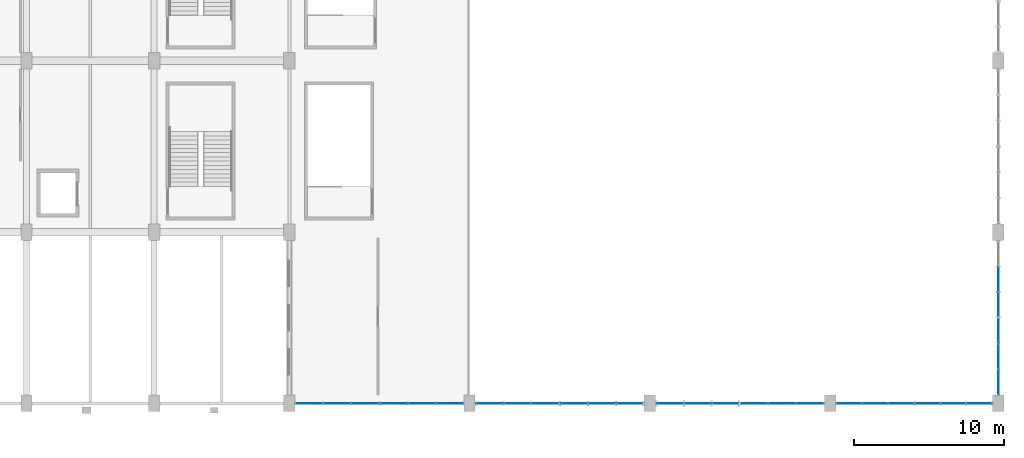
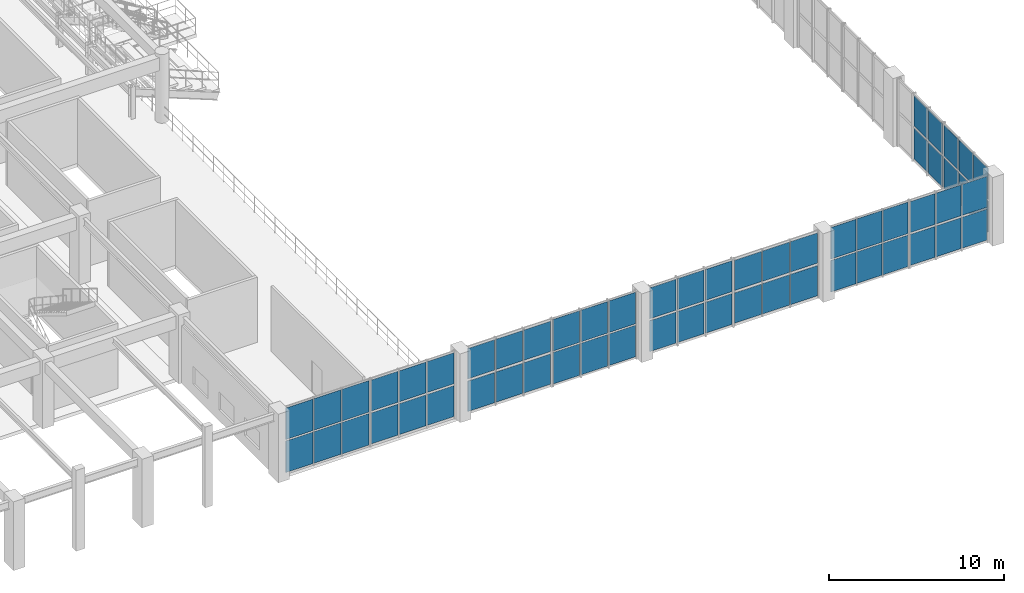
# One storey, part 73 of 106: 58 plates, 10 elements without a shape of their own.
"""IFC4 building model written with IfcOpenShell, lengths in metres."""

import ifcopenshell
import ifcopenshell.guid

model = None  # the IFC model being written
_history = None  # IfcOwnerHistory: only IFC2X3 demands one
_inside = {}  # id of a spatial element -> (the spatial element, [elements in it])
_under = {}  # id of a project, library or spatial element -> (it, [spatial elements below it])
_declared = {}  # id of a project -> (the project, [libraries it declares])
_typed = {}  # id of a type object -> (the type object, [elements of that type])
_made_of = {}  # id of a material, layer set ... -> (it, [elements and type objects made of it])


def new_model(schema):
    """Start an empty IFC model of exactly this schema.

    Asked for "IFC4X3", IfcOpenShell would pick the latest addendum, in which some entities
    have other attributes; the version numbers below select the first issue.
    IFC2X3 requires an IfcOwnerHistory on every rooted entity: one is made here for all.
    """
    global model, _history
    if schema == "IFC4X3":
        model = ifcopenshell.file(schema_version=(4, 3, 0, 0))
    else:
        model = ifcopenshell.file(schema=schema)
    _inside.clear()
    _under.clear()
    _declared.clear()
    _typed.clear()
    _made_of.clear()
    _history = None
    if model.schema == "IFC2X3":
        org = make("IfcOrganization", Name="unknown")
        user = make(
            "IfcPersonAndOrganization",
            ThePerson=make("IfcPerson", FamilyName="unknown"),
            TheOrganization=org,
        )
        app = make(
            "IfcApplication",
            ApplicationDeveloper=org,
            Version="unknown",
            ApplicationFullName="unknown",
            ApplicationIdentifier="unknown",
        )
        _history = make(
            "IfcOwnerHistory",
            OwningUser=user,
            OwningApplication=app,
            ChangeAction="ADDED",
            CreationDate=0,
        )
    return model


def make(cls, **values):
    """One entity of the class cls with the attributes given. An attribute that is None is left unset."""
    return model.create_entity(
        cls, **{name: value for name, value in values.items() if value is not None}
    )


def rooted(cls, **values):
    """An entity with a GlobalId (a new one), such as an element, a storey or a relation."""
    return make(cls, GlobalId=ifcopenshell.guid.new(), OwnerHistory=_history, **values)


def si_unit(unit_type, name, prefix=None):
    """IfcSIUnit, for example si_unit("LENGTHUNIT", "METRE", prefix="MILLI")."""
    return make("IfcSIUnit", UnitType=unit_type, Prefix=prefix, Name=name)


def assignment(units):
    """IfcUnitAssignment: the units of a project."""
    return None if units is None else make("IfcUnitAssignment", Units=units)


def point(xyz):
    """IfcCartesianPoint."""
    return None if xyz is None else make("IfcCartesianPoint", Coordinates=xyz)


def direction(xyz):
    """IfcDirection."""
    return None if xyz is None else make("IfcDirection", DirectionRatios=xyz)


def frame(location, z_axis=None, x_axis=None):
    """IfcAxis2Placement3D, a coordinate frame: its origin and axes. An axis left out is left unset."""
    return make(
        "IfcAxis2Placement3D",
        Location=point(location),
        Axis=direction(z_axis),
        RefDirection=direction(x_axis),
    )


def frame_2d(location, x_axis=None):
    """IfcAxis2Placement2D, a coordinate frame in the plane: its origin and x axis."""
    return make(
        "IfcAxis2Placement2D", Location=point(location), RefDirection=direction(x_axis)
    )


def origin():
    """The frame at (0, 0, 0) with its axes left unset."""
    return frame((0.0, 0.0, 0.0))


def origin_2d():
    """The frame at (0, 0) in the plane with its x axis left unset."""
    return frame_2d((0.0, 0.0))


def place(relative_to, where):
    """IfcLocalPlacement: puts the frame where relative to a parent placement (None: the world)."""
    return make(
        "IfcLocalPlacement", PlacementRelTo=relative_to, RelativePlacement=where
    )


def context(
    kind, dimensions, precision=None, world=None, true_north=None, identifier=None
):
    """IfcGeometricRepresentationContext, for example the 3D "Model" context."""
    return make(
        "IfcGeometricRepresentationContext",
        ContextIdentifier=identifier,
        ContextType=kind,
        CoordinateSpaceDimension=dimensions,
        Precision=precision,
        WorldCoordinateSystem=world,
        TrueNorth=true_north,
    )


def subcontext(parent, identifier, kind, view, scale=None):
    """IfcGeometricRepresentationSubContext, for example "Body" below "Model"."""
    return make(
        "IfcGeometricRepresentationSubContext",
        ContextIdentifier=identifier,
        ContextType=kind,
        ParentContext=parent,
        TargetScale=scale,
        TargetView=view,
    )


def project(units=None, contexts=None):
    """IfcProject with its units and contexts."""
    return rooted(
        "IfcProject",
        Name="project",
        RepresentationContexts=contexts,
        UnitsInContext=assignment(units),
    )


def spatial(cls, under=None, at=None, **own):
    """A site, building, storey or space (cls), placed at a placement, below another one or the project."""
    s = rooted(cls, ObjectPlacement=at, **own)
    if under is not None:
        _under.setdefault(under.id(), (under, []))[1].append(s)
    return s


def profile(cls, at=None, kind="AREA", **sizes):
    """A parametric profile (cls). Its sizes go by their IFC names, for example OverallWidth=200.0."""
    return make(cls, ProfileType=kind, Position=at, **sizes)


def rectangle(**sizes):
    """IfcRectangleProfileDef."""
    return profile("IfcRectangleProfileDef", **sizes)


def extrude(swept, where, along, depth):
    """IfcExtrudedAreaSolid: the profile swept, set in the frame where, extruded along a direction by depth."""
    return make(
        "IfcExtrudedAreaSolid",
        SweptArea=swept,
        Position=where,
        ExtrudedDirection=direction(along),
        Depth=depth,
    )


def shape(context_of_items, identifier, shape_type, items):
    """IfcShapeRepresentation: the items that make up one representation, for example the "Body"."""
    return make(
        "IfcShapeRepresentation",
        ContextOfItems=context_of_items,
        RepresentationIdentifier=identifier,
        RepresentationType=shape_type,
        Items=items,
    )


def material(Name=None, Category=None):
    """IfcMaterial."""
    return make("IfcMaterial", Name=Name, Category=Category)


def layer(
    of_material, thickness, ventilated=None, Name=None, Category=None, Priority=None
):
    """IfcMaterialLayer: one layer of a wall or slab, of a material (None: an air gap)."""
    return make(
        "IfcMaterialLayer",
        Material=of_material,
        LayerThickness=thickness,
        IsVentilated=ventilated,
        Name=Name,
        Category=Category,
        Priority=Priority,
    )


def layer_set(layers, Name=None):
    """IfcMaterialLayerSet."""
    return make("IfcMaterialLayerSet", MaterialLayers=layers, LayerSetName=Name)


def made_of(thing, what):
    """Note that an element or type object is made of a material, layer set ...; save() writes the relation."""
    if what is not None:
        _made_of.setdefault(what.id(), (what, []))[1].append(thing)
    return thing


def type_object(cls, material=None, **own):
    """A type object (cls), such as IfcWallType, which elements share."""
    return made_of(rooted(cls, **own), material)


def element(
    cls,
    number,
    at=None,
    inside=None,
    cuts=None,
    type_object=None,
    material=None,
    context=None,
    identifier="Body",
    shape_type=None,
    held_by="IfcProductDefinitionShape",
    body=None,
    shapes=None,
    **own,
):
    """One element of the class cls, such as IfcWall. Its Tag is "e" and its number.

    at: its placement. inside: the storey or other place that contains it. cuts: it is an
    opening in that element (IfcRelVoidsElement). A single representation is given by context,
    identifier, shape_type and body (its items); several are given by shapes. held_by: the class
    of the entity that holds the representations. save() writes the other relations.
    """
    e = rooted(cls, Tag="e%d" % number, ObjectPlacement=at, **own)
    if body is not None:
        shapes = [shape(context, identifier, shape_type, body)]
    if shapes is not None:
        e.Representation = make(held_by, Representations=shapes)
    if inside is not None:
        _inside.setdefault(inside.id(), (inside, []))[1].append(e)
    if cuts is not None:
        rooted(
            "IfcRelVoidsElement", RelatingBuildingElement=cuts, RelatedOpeningElement=e
        )
    if type_object is not None:
        _typed.setdefault(type_object.id(), (type_object, []))[1].append(e)
    return made_of(e, material)


def aggregate(whole, parts):
    """IfcRelAggregates: a whole, such as a stair, and the parts it consists of."""
    return rooted("IfcRelAggregates", RelatingObject=whole, RelatedObjects=parts)


def save(model, path):
    """Write the relations noted so far, then the file.

    IfcRelAggregates (storeys below a building ...), IfcRelContainedInSpatialStructure (elements
    in a storey), IfcRelDefinesByType, IfcRelAssociatesMaterial and IfcRelDeclares: one each for
    every whole, place, type object, material and project.
    """
    for whole, parts in _under.values():
        aggregate(whole, parts)
    for where, things in _inside.values():
        rooted(
            "IfcRelContainedInSpatialStructure",
            RelatedElements=things,
            RelatingStructure=where,
        )
    for kind, things in _typed.values():
        rooted("IfcRelDefinesByType", RelatedObjects=things, RelatingType=kind)
    for what, things in _made_of.values():
        rooted("IfcRelAssociatesMaterial", RelatedObjects=things, RelatingMaterial=what)
    for by, libraries in _declared.values():
        rooted("IfcRelDeclares", RelatingContext=by, RelatedDefinitions=libraries)
    model.write(path)


model = new_model("IFC4")

# Units and contexts
model_context = context("Model", 3, precision=1e-05, world=origin(), true_north=direction((0.0, 1.0)))
body_context = subcontext(model_context, "Body", "Model", "MODEL_VIEW")
ifc_project = project(units=[si_unit("LENGTHUNIT", "METRE"), si_unit("AREAUNIT", "SQUARE_METRE"), si_unit("VOLUMEUNIT", "CUBIC_METRE"), si_unit("PLANEANGLEUNIT", "RADIAN"), si_unit("MASSUNIT", "GRAM", prefix="KILO"), si_unit("POWERUNIT", "WATT"), si_unit("THERMODYNAMICTEMPERATUREUNIT", "KELVIN")], contexts=[model_context])

# Site, building, storey
site_placement = place(None, origin())
site = spatial("IfcSite", under=ifc_project, at=site_placement, CompositionType="ELEMENT")
building_placement = place(site_placement, origin())
building = spatial("IfcBuilding", under=site, at=building_placement, Name="Kelmbourne Parkland Aquatics Centre", CompositionType="ELEMENT")
storey_placement = place(building_placement, frame((0.0, 0.0, 5.39990234375)))
storey = spatial("IfcBuildingStorey", under=building, at=storey_placement, Name="L01", CompositionType="ELEMENT", Elevation=5.39990234375)

# Curtain wall, plates
ifc_material_1 = material(Name="Thermally broken anodised aluminium framing", Category="aluminium")
ifc_layer_1 = layer(ifc_material_1, 0.179931640625)
ifc_layer_set_1 = layer_set([ifc_layer_1], Name="Thermally broken anodised aluminium framing")
curtain_wall_type_1 = type_object("IfcCurtainWallType", Name="CW-01", PredefinedType="NOTDEFINED", material=ifc_layer_set_1)
curtain_wall_1_placement = place(storey_placement, origin())
curtain_wall_1 = element("IfcCurtainWall", 1, at=curtain_wall_1_placement, inside=storey, type_object=curtain_wall_type_1, Name="Wave-hall clerestory curtain wall CW-L01-001", PredefinedType="NOTDEFINED")
ifc_material_2 = material(Name="Double-glazed low-e laminated safety glass", Category="glass")
ifc_layer_2 = layer(ifc_material_2, 0.0419921875)
ifc_layer_set_2 = layer_set([ifc_layer_2], Name="Double-glazed low-e laminated safety glass")
plate_type_1 = type_object("IfcPlateType", Name="PL-CLR-1", PredefinedType="USERDEFINED", material=ifc_layer_set_2)
plate_1_placement = place(storey_placement, frame((175.199951171875, 2.235107421875, 2.4443359375), z_axis=(0.0, 0.0, 1.0), x_axis=(0.0, 1.0, 0.0)))
plate_1 = element("IfcPlate", 2, at=plate_1_placement, type_object=plate_type_1, Name="CW-L01-001 clerestory glazing 1-0", ObjectType="CLERESTORY GLAZING", PredefinedType="USERDEFINED", context=body_context, shape_type="SweptSolid", body=[
    extrude(rectangle(XDim=1.6279296875, YDim=0.0419921875, at=origin_2d()), origin(), (0.0, 0.0, 1.0), 2.158935546875),
])
plate_2_placement = place(storey_placement, frame((175.199951171875, 3.926025390625, 2.4443359375), z_axis=(0.0, 0.0, 1.0), x_axis=(0.0, 1.0, 0.0)))
plate_2 = element("IfcPlate", 3, at=plate_2_placement, type_object=plate_type_1, Name="CW-L01-001 clerestory glazing 1-1", ObjectType="CLERESTORY GLAZING", PredefinedType="USERDEFINED", context=body_context, shape_type="SweptSolid", body=[
    extrude(rectangle(XDim=1.6279296875, YDim=0.0419921875, at=origin_2d()), origin(), (0.0, 0.0, 1.0), 2.158935546875),
])
plate_3_placement = place(storey_placement, frame((175.199951171875, 5.616943359375, 2.4443359375), z_axis=(0.0, 0.0, 1.0), x_axis=(0.0, 1.0, 0.0)))
plate_3 = element("IfcPlate", 4, at=plate_3_placement, type_object=plate_type_1, Name="CW-L01-001 clerestory glazing 1-2", ObjectType="CLERESTORY GLAZING", PredefinedType="USERDEFINED", context=body_context, shape_type="SweptSolid", body=[
    extrude(rectangle(XDim=1.6279296875, YDim=0.0419921875, at=origin_2d()), origin(), (0.0, 0.0, 1.0), 2.158935546875),
])

ifc_layer_3 = layer(ifc_material_1, 0.179931640625)
ifc_layer_set_3 = layer_set([ifc_layer_3], Name="Thermally broken anodised aluminium framing")
curtain_wall_type_2 = type_object("IfcCurtainWallType", Name="CW-08", PredefinedType="NOTDEFINED", material=ifc_layer_set_3)
curtain_wall_2_placement = place(storey_placement, origin())
curtain_wall_2 = element("IfcCurtainWall", 5, at=curtain_wall_2_placement, inside=storey, type_object=curtain_wall_type_2, Name="Wave-hall clerestory curtain wall CW-L01-008", PredefinedType="NOTDEFINED")
plate_4_placement = place(storey_placement, frame((175.199951171875, 7.3896484375, 2.458984375), z_axis=(0.0, 0.0, 1.0), x_axis=(0.0, 1.0, 0.0)))
plate_4 = element("IfcPlate", 6, at=plate_4_placement, type_object=plate_type_1, Name="CW-L01-008 clerestory glazing 1-0", ObjectType="CLERESTORY GLAZING", PredefinedType="USERDEFINED", context=body_context, shape_type="SweptSolid", body=[
    extrude(rectangle(XDim=1.601318359375, YDim=0.0419921875, at=origin_2d()), origin(), (0.0, 0.0, 1.0), 2.114013671875),
])
plate_5_placement = place(storey_placement, frame((175.199951171875, 9.073974609375, 2.458984375), z_axis=(0.0, 0.0, 1.0), x_axis=(0.0, 1.0, 0.0)))
plate_5 = element("IfcPlate", 7, at=plate_5_placement, type_object=plate_type_1, Name="CW-L01-008 clerestory glazing 1-1", ObjectType="CLERESTORY GLAZING", PredefinedType="USERDEFINED", context=body_context, shape_type="SweptSolid", body=[
    extrude(rectangle(XDim=1.601318359375, YDim=0.0419921875, at=origin_2d()), origin(), (0.0, 0.0, 1.0), 2.114013671875),
])

ifc_layer_4 = layer(ifc_material_1, 0.179931640625)
ifc_layer_set_4 = layer_set([ifc_layer_4], Name="Thermally broken anodised aluminium framing")
curtain_wall_type_3 = type_object("IfcCurtainWallType", Name="CW-09", PredefinedType="NOTDEFINED", material=ifc_layer_set_4)
curtain_wall_3_placement = place(storey_placement, origin())
curtain_wall_3 = element("IfcCurtainWall", 8, at=curtain_wall_3_placement, inside=storey, type_object=curtain_wall_type_3, Name="Wave-hall clerestory curtain wall CW-L01-105", PredefinedType="NOTDEFINED")
plate_6_placement = place(storey_placement, frame((129.3359375, 0.800048828125, 2.428955078125), z_axis=(0.0, 0.0, 1.0), x_axis=(1.0, 0.0, 0.0)))
plate_6 = element("IfcPlate", 9, at=plate_6_placement, type_object=plate_type_1, Name="CW-L01-105 clerestory glazing 1-0", ObjectType="CLERESTORY GLAZING", PredefinedType="USERDEFINED", context=body_context, shape_type="SweptSolid", body=[
    extrude(rectangle(XDim=1.7998046875, YDim=0.0419921875, at=origin_2d()), origin(), (0.0, 0.0, 1.0), 2.2041015625),
])
plate_7_placement = place(storey_placement, frame((131.1884765625, 0.800048828125, 2.428955078125), z_axis=(0.0, 0.0, 1.0), x_axis=(1.0, 0.0, 0.0)))
plate_7 = element("IfcPlate", 10, at=plate_7_placement, type_object=plate_type_1, Name="CW-L01-105 clerestory glazing 1-1", ObjectType="CLERESTORY GLAZING", PredefinedType="USERDEFINED", context=body_context, shape_type="SweptSolid", body=[
    extrude(rectangle(XDim=1.799560546875, YDim=0.0419921875, at=origin_2d()), origin(), (0.0, 0.0, 1.0), 2.2041015625),
])
plate_8_placement = place(storey_placement, frame((133.041259765625, 0.800048828125, 2.428955078125), z_axis=(0.0, 0.0, 1.0), x_axis=(1.0, 0.0, 0.0)))
plate_8 = element("IfcPlate", 11, at=plate_8_placement, type_object=plate_type_1, Name="CW-L01-105 clerestory glazing 1-2", ObjectType="CLERESTORY GLAZING", PredefinedType="USERDEFINED", context=body_context, shape_type="SweptSolid", body=[
    extrude(rectangle(XDim=1.7998046875, YDim=0.0419921875, at=origin_2d()), origin(), (0.0, 0.0, 1.0), 2.2041015625),
])

ifc_layer_5 = layer(ifc_material_1, 0.179931640625)
ifc_layer_set_5 = layer_set([ifc_layer_5], Name="Thermally broken anodised aluminium framing")
curtain_wall_type_4 = type_object("IfcCurtainWallType", Name="CW-10", PredefinedType="NOTDEFINED", material=ifc_layer_set_5)
curtain_wall_4_placement = place(storey_placement, origin())
curtain_wall_4 = element("IfcCurtainWall", 12, at=curtain_wall_4_placement, inside=storey, type_object=curtain_wall_type_4, Name="Wave-hall clerestory curtain wall CW-L01-106", PredefinedType="NOTDEFINED")
plate_9_placement = place(storey_placement, frame((134.962158203125, 0.800048828125, 2.4443359375), z_axis=(0.0, 0.0, 1.0), x_axis=(1.0, 0.0, 0.0)))
plate_9 = element("IfcPlate", 13, at=plate_9_placement, type_object=plate_type_1, Name="CW-L01-106 clerestory glazing 1-0", ObjectType="CLERESTORY GLAZING", PredefinedType="USERDEFINED", context=body_context, shape_type="SweptSolid", body=[
    extrude(rectangle(XDim=1.786376953125, YDim=0.0419921875, at=origin_2d()), origin(), (0.0, 0.0, 1.0), 2.158935546875),
])
plate_10_placement = place(storey_placement, frame((136.8115234375, 0.800048828125, 2.4443359375), z_axis=(0.0, 0.0, 1.0), x_axis=(1.0, 0.0, 0.0)))
plate_10 = element("IfcPlate", 14, at=plate_10_placement, type_object=plate_type_1, Name="CW-L01-106 clerestory glazing 1-1", ObjectType="CLERESTORY GLAZING", PredefinedType="USERDEFINED", context=body_context, shape_type="SweptSolid", body=[
    extrude(rectangle(XDim=1.786376953125, YDim=0.0419921875, at=origin_2d()), origin(), (0.0, 0.0, 1.0), 2.158935546875),
])
plate_11_placement = place(storey_placement, frame((138.660888671875, 0.800048828125, 2.4443359375), z_axis=(0.0, 0.0, 1.0), x_axis=(1.0, 0.0, 0.0)))
plate_11 = element("IfcPlate", 15, at=plate_11_placement, type_object=plate_type_1, Name="CW-L01-106 clerestory glazing 1-2", ObjectType="CLERESTORY GLAZING", PredefinedType="USERDEFINED", context=body_context, shape_type="SweptSolid", body=[
    extrude(rectangle(XDim=1.786376953125, YDim=0.0419921875, at=origin_2d()), origin(), (0.0, 0.0, 1.0), 2.158935546875),
])

ifc_layer_6 = layer(ifc_material_1, 0.179931640625)
ifc_layer_set_6 = layer_set([ifc_layer_6], Name="Thermally broken anodised aluminium framing")
curtain_wall_type_5 = type_object("IfcCurtainWallType", Name="CW-11", PredefinedType="NOTDEFINED", material=ifc_layer_set_6)
curtain_wall_5_placement = place(storey_placement, origin())
curtain_wall_5 = element("IfcCurtainWall", 16, at=curtain_wall_5_placement, inside=storey, type_object=curtain_wall_type_5, Name="Wave-hall clerestory curtain wall CW-L01-107", PredefinedType="NOTDEFINED")
plate_12_placement = place(storey_placement, frame((141.342529296875, 0.800048828125, 2.458984375), z_axis=(0.0, 0.0, 1.0), x_axis=(1.0, 0.0, 0.0)))
plate_12 = element("IfcPlate", 17, at=plate_12_placement, type_object=plate_type_1, Name="CW-L01-107 clerestory glazing 1-0", ObjectType="CLERESTORY GLAZING", PredefinedType="USERDEFINED", context=body_context, shape_type="SweptSolid", body=[
    extrude(rectangle(XDim=1.77294921875, YDim=0.0419921875, at=origin_2d()), origin(), (0.0, 0.0, 1.0), 2.114013671875),
])
plate_13_placement = place(storey_placement, frame((143.1884765625, 0.800048828125, 2.458984375), z_axis=(0.0, 0.0, 1.0), x_axis=(1.0, 0.0, 0.0)))
plate_13 = element("IfcPlate", 18, at=plate_13_placement, type_object=plate_type_1, Name="CW-L01-107 clerestory glazing 1-1", ObjectType="CLERESTORY GLAZING", PredefinedType="USERDEFINED", context=body_context, shape_type="SweptSolid", body=[
    extrude(rectangle(XDim=1.77294921875, YDim=0.0419921875, at=origin_2d()), origin(), (0.0, 0.0, 1.0), 2.114013671875),
])
plate_14_placement = place(storey_placement, frame((145.034423828125, 0.800048828125, 2.458984375), z_axis=(0.0, 0.0, 1.0), x_axis=(1.0, 0.0, 0.0)))
plate_14 = element("IfcPlate", 19, at=plate_14_placement, type_object=plate_type_1, Name="CW-L01-107 clerestory glazing 1-2", ObjectType="CLERESTORY GLAZING", PredefinedType="USERDEFINED", context=body_context, shape_type="SweptSolid", body=[
    extrude(rectangle(XDim=1.77294921875, YDim=0.0419921875, at=origin_2d()), origin(), (0.0, 0.0, 1.0), 2.114013671875),
])

ifc_layer_7 = layer(ifc_material_1, 0.179931640625)
ifc_layer_set_7 = layer_set([ifc_layer_7], Name="Thermally broken anodised aluminium framing")
curtain_wall_type_6 = type_object("IfcCurtainWallType", Name="CW-12", PredefinedType="NOTDEFINED", material=ifc_layer_set_7)
curtain_wall_6_placement = place(storey_placement, origin())
curtain_wall_6 = element("IfcCurtainWall", 20, at=curtain_wall_6_placement, inside=storey, type_object=curtain_wall_type_6, Name="Wave-hall clerestory curtain wall CW-L01-108", PredefinedType="NOTDEFINED")
plate_15_placement = place(storey_placement, frame((146.968994140625, 0.800048828125, 2.428955078125), z_axis=(0.0, 0.0, 1.0), x_axis=(1.0, 0.0, 0.0)))
plate_15 = element("IfcPlate", 21, at=plate_15_placement, type_object=plate_type_1, Name="CW-L01-108 clerestory glazing 1-0", ObjectType="CLERESTORY GLAZING", PredefinedType="USERDEFINED", context=body_context, shape_type="SweptSolid", body=[
    extrude(rectangle(XDim=1.759765625, YDim=0.0419921875, at=origin_2d()), origin(), (0.0, 0.0, 1.0), 2.2041015625),
])
plate_16_placement = place(storey_placement, frame((148.8115234375, 0.800048828125, 2.428955078125), z_axis=(0.0, 0.0, 1.0), x_axis=(1.0, 0.0, 0.0)))
plate_16 = element("IfcPlate", 22, at=plate_16_placement, type_object=plate_type_1, Name="CW-L01-108 clerestory glazing 1-1", ObjectType="CLERESTORY GLAZING", PredefinedType="USERDEFINED", context=body_context, shape_type="SweptSolid", body=[
    extrude(rectangle(XDim=1.759521484375, YDim=0.0419921875, at=origin_2d()), origin(), (0.0, 0.0, 1.0), 2.2041015625),
])
plate_17_placement = place(storey_placement, frame((150.654052734375, 0.800048828125, 2.428955078125), z_axis=(0.0, 0.0, 1.0), x_axis=(1.0, 0.0, 0.0)))
plate_17 = element("IfcPlate", 23, at=plate_17_placement, type_object=plate_type_1, Name="CW-L01-108 clerestory glazing 1-2", ObjectType="CLERESTORY GLAZING", PredefinedType="USERDEFINED", context=body_context, shape_type="SweptSolid", body=[
    extrude(rectangle(XDim=1.759765625, YDim=0.0419921875, at=origin_2d()), origin(), (0.0, 0.0, 1.0), 2.2041015625),
])

ifc_layer_8 = layer(ifc_material_1, 0.179931640625)
ifc_layer_set_8 = layer_set([ifc_layer_8], Name="Thermally broken anodised aluminium framing")
curtain_wall_type_7 = type_object("IfcCurtainWallType", Name="CW-13", PredefinedType="NOTDEFINED", material=ifc_layer_set_8)
curtain_wall_7_placement = place(storey_placement, origin())
curtain_wall_7 = element("IfcCurtainWall", 24, at=curtain_wall_7_placement, inside=storey, type_object=curtain_wall_type_7, Name="Wave-hall clerestory curtain wall CW-L01-109", PredefinedType="NOTDEFINED")
plate_18_placement = place(storey_placement, frame((153.34912109375, 0.800048828125, 2.4443359375), z_axis=(0.0, 0.0, 1.0), x_axis=(1.0, 0.0, 0.0)))
plate_18 = element("IfcPlate", 25, at=plate_18_placement, type_object=plate_type_1, Name="CW-L01-109 clerestory glazing 1-0", ObjectType="CLERESTORY GLAZING", PredefinedType="USERDEFINED", context=body_context, shape_type="SweptSolid", body=[
    extrude(rectangle(XDim=1.746337890625, YDim=0.0419921875, at=origin_2d()), origin(), (0.0, 0.0, 1.0), 2.158935546875),
])
plate_19_placement = place(storey_placement, frame((155.1884765625, 0.800048828125, 2.4443359375), z_axis=(0.0, 0.0, 1.0), x_axis=(1.0, 0.0, 0.0)))
plate_19 = element("IfcPlate", 26, at=plate_19_placement, type_object=plate_type_1, Name="CW-L01-109 clerestory glazing 1-1", ObjectType="CLERESTORY GLAZING", PredefinedType="USERDEFINED", context=body_context, shape_type="SweptSolid", body=[
    extrude(rectangle(XDim=1.746337890625, YDim=0.0419921875, at=origin_2d()), origin(), (0.0, 0.0, 1.0), 2.158935546875),
])
plate_20_placement = place(storey_placement, frame((157.02783203125, 0.800048828125, 2.4443359375), z_axis=(0.0, 0.0, 1.0), x_axis=(1.0, 0.0, 0.0)))
plate_20 = element("IfcPlate", 27, at=plate_20_placement, type_object=plate_type_1, Name="CW-L01-109 clerestory glazing 1-2", ObjectType="CLERESTORY GLAZING", PredefinedType="USERDEFINED", context=body_context, shape_type="SweptSolid", body=[
    extrude(rectangle(XDim=1.746337890625, YDim=0.0419921875, at=origin_2d()), origin(), (0.0, 0.0, 1.0), 2.158935546875),
])

ifc_layer_9 = layer(ifc_material_1, 0.179931640625)
ifc_layer_set_9 = layer_set([ifc_layer_9], Name="Thermally broken anodised aluminium framing")
curtain_wall_type_8 = type_object("IfcCurtainWallType", Name="CW-14", PredefinedType="NOTDEFINED", material=ifc_layer_set_9)
curtain_wall_8_placement = place(storey_placement, origin())
curtain_wall_8 = element("IfcCurtainWall", 28, at=curtain_wall_8_placement, inside=storey, type_object=curtain_wall_type_8, Name="Wave-hall clerestory curtain wall CW-L01-110", PredefinedType="NOTDEFINED")
plate_21_placement = place(storey_placement, frame((158.958984375, 0.800048828125, 2.458984375), z_axis=(0.0, 0.0, 1.0), x_axis=(1.0, 0.0, 0.0)))
plate_21 = element("IfcPlate", 29, at=plate_21_placement, type_object=plate_type_1, Name="CW-L01-110 clerestory glazing 1-0", ObjectType="CLERESTORY GLAZING", PredefinedType="USERDEFINED", context=body_context, shape_type="SweptSolid", body=[
    extrude(rectangle(XDim=1.7998046875, YDim=0.0419921875, at=origin_2d()), origin(), (0.0, 0.0, 1.0), 2.114013671875),
])
plate_22_placement = place(storey_placement, frame((160.8115234375, 0.800048828125, 2.458984375), z_axis=(0.0, 0.0, 1.0), x_axis=(1.0, 0.0, 0.0)))
plate_22 = element("IfcPlate", 30, at=plate_22_placement, type_object=plate_type_1, Name="CW-L01-110 clerestory glazing 1-1", ObjectType="CLERESTORY GLAZING", PredefinedType="USERDEFINED", context=body_context, shape_type="SweptSolid", body=[
    extrude(rectangle(XDim=1.799560546875, YDim=0.0419921875, at=origin_2d()), origin(), (0.0, 0.0, 1.0), 2.114013671875),
])
plate_23_placement = place(storey_placement, frame((162.664306640625, 0.800048828125, 2.458984375), z_axis=(0.0, 0.0, 1.0), x_axis=(1.0, 0.0, 0.0)))
plate_23 = element("IfcPlate", 31, at=plate_23_placement, type_object=plate_type_1, Name="CW-L01-110 clerestory glazing 1-2", ObjectType="CLERESTORY GLAZING", PredefinedType="USERDEFINED", context=body_context, shape_type="SweptSolid", body=[
    extrude(rectangle(XDim=1.7998046875, YDim=0.0419921875, at=origin_2d()), origin(), (0.0, 0.0, 1.0), 2.114013671875),
])

ifc_layer_10 = layer(ifc_material_1, 0.179931640625)
ifc_layer_set_10 = layer_set([ifc_layer_10], Name="Thermally broken anodised aluminium framing")
curtain_wall_type_9 = type_object("IfcCurtainWallType", Name="CW-15", PredefinedType="NOTDEFINED", material=ifc_layer_set_10)
curtain_wall_9_placement = place(storey_placement, origin())
curtain_wall_9 = element("IfcCurtainWall", 32, at=curtain_wall_9_placement, inside=storey, type_object=curtain_wall_type_9, Name="Wave-hall clerestory curtain wall CW-L01-111", PredefinedType="NOTDEFINED")
plate_24_placement = place(storey_placement, frame((165.2724609375, 0.800048828125, 2.428955078125), z_axis=(0.0, 0.0, 1.0), x_axis=(1.0, 0.0, 0.0)))
plate_24 = element("IfcPlate", 33, at=plate_24_placement, type_object=plate_type_1, Name="CW-L01-111 clerestory glazing 1-0", ObjectType="CLERESTORY GLAZING", PredefinedType="USERDEFINED", context=body_context, shape_type="SweptSolid", body=[
    extrude(rectangle(XDim=1.653076171875, YDim=0.0419921875, at=origin_2d()), origin(), (0.0, 0.0, 1.0), 2.2041015625),
])
plate_25_placement = place(storey_placement, frame((166.988525390625, 0.800048828125, 2.428955078125), z_axis=(0.0, 0.0, 1.0), x_axis=(1.0, 0.0, 0.0)))
plate_25 = element("IfcPlate", 34, at=plate_25_placement, type_object=plate_type_1, Name="CW-L01-111 clerestory glazing 1-1", ObjectType="CLERESTORY GLAZING", PredefinedType="USERDEFINED", context=body_context, shape_type="SweptSolid", body=[
    extrude(rectangle(XDim=1.653076171875, YDim=0.0419921875, at=origin_2d()), origin(), (0.0, 0.0, 1.0), 2.2041015625),
])
plate_26_placement = place(storey_placement, frame((168.70458984375, 0.800048828125, 2.428955078125), z_axis=(0.0, 0.0, 1.0), x_axis=(1.0, 0.0, 0.0)))
plate_26 = element("IfcPlate", 35, at=plate_26_placement, type_object=plate_type_1, Name="CW-L01-111 clerestory glazing 1-2", ObjectType="CLERESTORY GLAZING", PredefinedType="USERDEFINED", context=body_context, shape_type="SweptSolid", body=[
    extrude(rectangle(XDim=1.653076171875, YDim=0.0419921875, at=origin_2d()), origin(), (0.0, 0.0, 1.0), 2.2041015625),
])

ifc_layer_11 = layer(ifc_material_1, 0.179931640625)
ifc_layer_set_11 = layer_set([ifc_layer_11], Name="Thermally broken anodised aluminium framing")
curtain_wall_type_10 = type_object("IfcCurtainWallType", Name="CW-16", PredefinedType="NOTDEFINED", material=ifc_layer_set_11)
curtain_wall_10_placement = place(storey_placement, origin())
curtain_wall_10 = element("IfcCurtainWall", 36, at=curtain_wall_10_placement, inside=storey, type_object=curtain_wall_type_10, Name="Wave-hall clerestory curtain wall CW-L01-112", PredefinedType="NOTDEFINED")
plate_27_placement = place(storey_placement, frame((170.498779296875, 0.800048828125, 2.4443359375), z_axis=(0.0, 0.0, 1.0), x_axis=(1.0, 0.0, 0.0)))
plate_27 = element("IfcPlate", 37, at=plate_27_placement, type_object=plate_type_1, Name="CW-L01-112 clerestory glazing 1-0", ObjectType="CLERESTORY GLAZING", PredefinedType="USERDEFINED", context=body_context, shape_type="SweptSolid", body=[
    extrude(rectangle(XDim=1.6396484375, YDim=0.0419921875, at=origin_2d()), origin(), (0.0, 0.0, 1.0), 2.158935546875),
])
plate_28_placement = place(storey_placement, frame((172.21142578125, 0.800048828125, 2.4443359375), z_axis=(0.0, 0.0, 1.0), x_axis=(1.0, 0.0, 0.0)))
plate_28 = element("IfcPlate", 38, at=plate_28_placement, type_object=plate_type_1, Name="CW-L01-112 clerestory glazing 1-1", ObjectType="CLERESTORY GLAZING", PredefinedType="USERDEFINED", context=body_context, shape_type="SweptSolid", body=[
    extrude(rectangle(XDim=1.6396484375, YDim=0.0419921875, at=origin_2d()), origin(), (0.0, 0.0, 1.0), 2.158935546875),
])
plate_29_placement = place(storey_placement, frame((173.924072265625, 0.800048828125, 2.4443359375), z_axis=(0.0, 0.0, 1.0), x_axis=(1.0, 0.0, 0.0)))
plate_29 = element("IfcPlate", 39, at=plate_29_placement, type_object=plate_type_1, Name="CW-L01-112 clerestory glazing 1-2", ObjectType="CLERESTORY GLAZING", PredefinedType="USERDEFINED", context=body_context, shape_type="SweptSolid", body=[
    extrude(rectangle(XDim=1.6396484375, YDim=0.0419921875, at=origin_2d()), origin(), (0.0, 0.0, 1.0), 2.158935546875),
])

# Plate
ifc_layer_12 = layer(ifc_material_2, 0.02392578125)
ifc_layer_set_12 = layer_set([ifc_layer_12], Name="Double-glazed low-e laminated safety glass")
plate_type_2 = type_object("IfcPlateType", Name="PL-CWP-1", PredefinedType="CURTAIN_PANEL", material=ifc_layer_set_12)
plate_30_placement = place(storey_placement, frame((129.3359375, 0.800048828125, 0.116943359375), z_axis=(0.0, 0.0, 1.0), x_axis=(1.0, 0.0, 0.0)))
plate_30 = element("IfcPlate", 40, at=plate_30_placement, type_object=plate_type_2, Name="CW-L01-105 vision glazing 0-0", PredefinedType="CURTAIN_PANEL", context=body_context, shape_type="SweptSolid", body=[
    extrude(rectangle(XDim=1.7998046875, YDim=0.02392578125, at=origin_2d()), origin(), (0.0, 0.0, 1.0), 2.2041015625),
])

plate_31_placement = place(storey_placement, frame((131.1884765625, 0.800048828125, 0.116943359375), z_axis=(0.0, 0.0, 1.0), x_axis=(1.0, 0.0, 0.0)))
plate_31 = element("IfcPlate", 41, at=plate_31_placement, type_object=plate_type_2, Name="CW-L01-105 vision glazing 0-1", PredefinedType="CURTAIN_PANEL", context=body_context, shape_type="SweptSolid", body=[
    extrude(rectangle(XDim=1.799560546875, YDim=0.02392578125, at=origin_2d()), origin(), (0.0, 0.0, 1.0), 2.2041015625),
])

plate_32_placement = place(storey_placement, frame((133.041259765625, 0.800048828125, 0.116943359375), z_axis=(0.0, 0.0, 1.0), x_axis=(1.0, 0.0, 0.0)))
plate_32 = element("IfcPlate", 42, at=plate_32_placement, type_object=plate_type_2, Name="CW-L01-105 vision glazing 0-2", PredefinedType="CURTAIN_PANEL", context=body_context, shape_type="SweptSolid", body=[
    extrude(rectangle(XDim=1.7998046875, YDim=0.02392578125, at=origin_2d()), origin(), (0.0, 0.0, 1.0), 2.2041015625),
])

aggregate(curtain_wall_3, [plate_30, plate_31, plate_32, plate_6, plate_7, plate_8])

plate_33_placement = place(storey_placement, frame((146.968994140625, 0.800048828125, 0.116943359375), z_axis=(0.0, 0.0, 1.0), x_axis=(1.0, 0.0, 0.0)))
plate_33 = element("IfcPlate", 43, at=plate_33_placement, type_object=plate_type_2, Name="CW-L01-108 vision glazing 0-0", PredefinedType="CURTAIN_PANEL", context=body_context, shape_type="SweptSolid", body=[
    extrude(rectangle(XDim=1.759765625, YDim=0.02392578125, at=origin_2d()), origin(), (0.0, 0.0, 1.0), 2.2041015625),
])

plate_34_placement = place(storey_placement, frame((148.8115234375, 0.800048828125, 0.116943359375), z_axis=(0.0, 0.0, 1.0), x_axis=(1.0, 0.0, 0.0)))
plate_34 = element("IfcPlate", 44, at=plate_34_placement, type_object=plate_type_2, Name="CW-L01-108 vision glazing 0-1", PredefinedType="CURTAIN_PANEL", context=body_context, shape_type="SweptSolid", body=[
    extrude(rectangle(XDim=1.759521484375, YDim=0.02392578125, at=origin_2d()), origin(), (0.0, 0.0, 1.0), 2.2041015625),
])

plate_35_placement = place(storey_placement, frame((150.654052734375, 0.800048828125, 0.116943359375), z_axis=(0.0, 0.0, 1.0), x_axis=(1.0, 0.0, 0.0)))
plate_35 = element("IfcPlate", 45, at=plate_35_placement, type_object=plate_type_2, Name="CW-L01-108 vision glazing 0-2", PredefinedType="CURTAIN_PANEL", context=body_context, shape_type="SweptSolid", body=[
    extrude(rectangle(XDim=1.759765625, YDim=0.02392578125, at=origin_2d()), origin(), (0.0, 0.0, 1.0), 2.2041015625),
])

aggregate(curtain_wall_6, [plate_33, plate_34, plate_35, plate_15, plate_16, plate_17])

plate_36_placement = place(storey_placement, frame((165.2724609375, 0.800048828125, 0.116943359375), z_axis=(0.0, 0.0, 1.0), x_axis=(1.0, 0.0, 0.0)))
plate_36 = element("IfcPlate", 46, at=plate_36_placement, type_object=plate_type_2, Name="CW-L01-111 vision glazing 0-0", PredefinedType="CURTAIN_PANEL", context=body_context, shape_type="SweptSolid", body=[
    extrude(rectangle(XDim=1.653076171875, YDim=0.02392578125, at=origin_2d()), origin(), (0.0, 0.0, 1.0), 2.2041015625),
])

plate_37_placement = place(storey_placement, frame((166.988525390625, 0.800048828125, 0.116943359375), z_axis=(0.0, 0.0, 1.0), x_axis=(1.0, 0.0, 0.0)))
plate_37 = element("IfcPlate", 47, at=plate_37_placement, type_object=plate_type_2, Name="CW-L01-111 vision glazing 0-1", PredefinedType="CURTAIN_PANEL", context=body_context, shape_type="SweptSolid", body=[
    extrude(rectangle(XDim=1.653076171875, YDim=0.02392578125, at=origin_2d()), origin(), (0.0, 0.0, 1.0), 2.2041015625),
])

plate_38_placement = place(storey_placement, frame((168.70458984375, 0.800048828125, 0.116943359375), z_axis=(0.0, 0.0, 1.0), x_axis=(1.0, 0.0, 0.0)))
plate_38 = element("IfcPlate", 48, at=plate_38_placement, type_object=plate_type_2, Name="CW-L01-111 vision glazing 0-2", PredefinedType="CURTAIN_PANEL", context=body_context, shape_type="SweptSolid", body=[
    extrude(rectangle(XDim=1.653076171875, YDim=0.02392578125, at=origin_2d()), origin(), (0.0, 0.0, 1.0), 2.2041015625),
])

aggregate(curtain_wall_9, [plate_36, plate_37, plate_38, plate_24, plate_25, plate_26])

ifc_layer_13 = layer(ifc_material_2, 0.035888671875)
ifc_layer_set_13 = layer_set([ifc_layer_13], Name="Double-glazed low-e laminated safety glass")
plate_type_3 = type_object("IfcPlateType", Name="PL-CWP-2", PredefinedType="CURTAIN_PANEL", material=ifc_layer_set_13)
plate_39_placement = place(storey_placement, frame((175.199951171875, 2.235107421875, 0.14697265625), z_axis=(0.0, 0.0, 1.0), x_axis=(0.0, 1.0, 0.0)))
plate_39 = element("IfcPlate", 49, at=plate_39_placement, type_object=plate_type_3, Name="CW-L01-001 vision glazing 0-0", PredefinedType="CURTAIN_PANEL", context=body_context, shape_type="SweptSolid", body=[
    extrude(rectangle(XDim=1.6279296875, YDim=0.035888671875, at=origin_2d()), origin(), (0.0, 0.0, 1.0), 2.158935546875),
])

plate_40_placement = place(storey_placement, frame((175.199951171875, 3.926025390625, 0.14697265625), z_axis=(0.0, 0.0, 1.0), x_axis=(0.0, 1.0, 0.0)))
plate_40 = element("IfcPlate", 50, at=plate_40_placement, type_object=plate_type_3, Name="CW-L01-001 vision glazing 0-1", PredefinedType="CURTAIN_PANEL", context=body_context, shape_type="SweptSolid", body=[
    extrude(rectangle(XDim=1.6279296875, YDim=0.035888671875, at=origin_2d()), origin(), (0.0, 0.0, 1.0), 2.158935546875),
])

plate_41_placement = place(storey_placement, frame((175.199951171875, 5.616943359375, 0.14697265625), z_axis=(0.0, 0.0, 1.0), x_axis=(0.0, 1.0, 0.0)))
plate_41 = element("IfcPlate", 51, at=plate_41_placement, type_object=plate_type_3, Name="CW-L01-001 vision glazing 0-2", PredefinedType="CURTAIN_PANEL", context=body_context, shape_type="SweptSolid", body=[
    extrude(rectangle(XDim=1.6279296875, YDim=0.035888671875, at=origin_2d()), origin(), (0.0, 0.0, 1.0), 2.158935546875),
])

aggregate(curtain_wall_1, [plate_39, plate_40, plate_41, plate_1, plate_2, plate_3])

plate_42_placement = place(storey_placement, frame((134.962158203125, 0.800048828125, 0.14697265625), z_axis=(0.0, 0.0, 1.0), x_axis=(1.0, 0.0, 0.0)))
plate_42 = element("IfcPlate", 52, at=plate_42_placement, type_object=plate_type_3, Name="CW-L01-106 vision glazing 0-0", PredefinedType="CURTAIN_PANEL", context=body_context, shape_type="SweptSolid", body=[
    extrude(rectangle(XDim=1.786376953125, YDim=0.035888671875, at=origin_2d()), origin(), (0.0, 0.0, 1.0), 2.158935546875),
])

plate_43_placement = place(storey_placement, frame((136.8115234375, 0.800048828125, 0.14697265625), z_axis=(0.0, 0.0, 1.0), x_axis=(1.0, 0.0, 0.0)))
plate_43 = element("IfcPlate", 53, at=plate_43_placement, type_object=plate_type_3, Name="CW-L01-106 vision glazing 0-1", PredefinedType="CURTAIN_PANEL", context=body_context, shape_type="SweptSolid", body=[
    extrude(rectangle(XDim=1.786376953125, YDim=0.035888671875, at=origin_2d()), origin(), (0.0, 0.0, 1.0), 2.158935546875),
])

plate_44_placement = place(storey_placement, frame((138.660888671875, 0.800048828125, 0.14697265625), z_axis=(0.0, 0.0, 1.0), x_axis=(1.0, 0.0, 0.0)))
plate_44 = element("IfcPlate", 54, at=plate_44_placement, type_object=plate_type_3, Name="CW-L01-106 vision glazing 0-2", PredefinedType="CURTAIN_PANEL", context=body_context, shape_type="SweptSolid", body=[
    extrude(rectangle(XDim=1.786376953125, YDim=0.035888671875, at=origin_2d()), origin(), (0.0, 0.0, 1.0), 2.158935546875),
])

aggregate(curtain_wall_4, [plate_42, plate_43, plate_44, plate_9, plate_10, plate_11])

plate_45_placement = place(storey_placement, frame((153.34912109375, 0.800048828125, 0.14697265625), z_axis=(0.0, 0.0, 1.0), x_axis=(1.0, 0.0, 0.0)))
plate_45 = element("IfcPlate", 55, at=plate_45_placement, type_object=plate_type_3, Name="CW-L01-109 vision glazing 0-0", PredefinedType="CURTAIN_PANEL", context=body_context, shape_type="SweptSolid", body=[
    extrude(rectangle(XDim=1.746337890625, YDim=0.035888671875, at=origin_2d()), origin(), (0.0, 0.0, 1.0), 2.158935546875),
])

plate_46_placement = place(storey_placement, frame((155.1884765625, 0.800048828125, 0.14697265625), z_axis=(0.0, 0.0, 1.0), x_axis=(1.0, 0.0, 0.0)))
plate_46 = element("IfcPlate", 56, at=plate_46_placement, type_object=plate_type_3, Name="CW-L01-109 vision glazing 0-1", PredefinedType="CURTAIN_PANEL", context=body_context, shape_type="SweptSolid", body=[
    extrude(rectangle(XDim=1.746337890625, YDim=0.035888671875, at=origin_2d()), origin(), (0.0, 0.0, 1.0), 2.158935546875),
])

plate_47_placement = place(storey_placement, frame((157.02783203125, 0.800048828125, 0.14697265625), z_axis=(0.0, 0.0, 1.0), x_axis=(1.0, 0.0, 0.0)))
plate_47 = element("IfcPlate", 57, at=plate_47_placement, type_object=plate_type_3, Name="CW-L01-109 vision glazing 0-2", PredefinedType="CURTAIN_PANEL", context=body_context, shape_type="SweptSolid", body=[
    extrude(rectangle(XDim=1.746337890625, YDim=0.035888671875, at=origin_2d()), origin(), (0.0, 0.0, 1.0), 2.158935546875),
])

aggregate(curtain_wall_7, [plate_45, plate_46, plate_47, plate_18, plate_19, plate_20])

plate_48_placement = place(storey_placement, frame((170.498779296875, 0.800048828125, 0.14697265625), z_axis=(0.0, 0.0, 1.0), x_axis=(1.0, 0.0, 0.0)))
plate_48 = element("IfcPlate", 58, at=plate_48_placement, type_object=plate_type_3, Name="CW-L01-112 vision glazing 0-0", PredefinedType="CURTAIN_PANEL", context=body_context, shape_type="SweptSolid", body=[
    extrude(rectangle(XDim=1.6396484375, YDim=0.035888671875, at=origin_2d()), origin(), (0.0, 0.0, 1.0), 2.158935546875),
])

plate_49_placement = place(storey_placement, frame((172.21142578125, 0.800048828125, 0.14697265625), z_axis=(0.0, 0.0, 1.0), x_axis=(1.0, 0.0, 0.0)))
plate_49 = element("IfcPlate", 59, at=plate_49_placement, type_object=plate_type_3, Name="CW-L01-112 vision glazing 0-1", PredefinedType="CURTAIN_PANEL", context=body_context, shape_type="SweptSolid", body=[
    extrude(rectangle(XDim=1.6396484375, YDim=0.035888671875, at=origin_2d()), origin(), (0.0, 0.0, 1.0), 2.158935546875),
])

plate_50_placement = place(storey_placement, frame((173.924072265625, 0.800048828125, 0.14697265625), z_axis=(0.0, 0.0, 1.0), x_axis=(1.0, 0.0, 0.0)))
plate_50 = element("IfcPlate", 60, at=plate_50_placement, type_object=plate_type_3, Name="CW-L01-112 vision glazing 0-2", PredefinedType="CURTAIN_PANEL", context=body_context, shape_type="SweptSolid", body=[
    extrude(rectangle(XDim=1.6396484375, YDim=0.035888671875, at=origin_2d()), origin(), (0.0, 0.0, 1.0), 2.158935546875),
])

aggregate(curtain_wall_10, [plate_48, plate_49, plate_50, plate_27, plate_28, plate_29])

ifc_layer_14 = layer(ifc_material_2, 0.048095703125)
ifc_layer_set_14 = layer_set([ifc_layer_14], Name="Double-glazed low-e laminated safety glass")
plate_type_4 = type_object("IfcPlateType", Name="PL-CWP-3", PredefinedType="CURTAIN_PANEL", material=ifc_layer_set_14)
plate_51_placement = place(storey_placement, frame((175.199951171875, 7.3896484375, 0.17724609375), z_axis=(0.0, 0.0, 1.0), x_axis=(0.0, 1.0, 0.0)))
plate_51 = element("IfcPlate", 61, at=plate_51_placement, type_object=plate_type_4, Name="CW-L01-008 vision glazing 0-0", PredefinedType="CURTAIN_PANEL", context=body_context, shape_type="SweptSolid", body=[
    extrude(rectangle(XDim=1.601318359375, YDim=0.048095703125, at=origin_2d()), origin(), (0.0, 0.0, 1.0), 2.114013671875),
])

plate_52_placement = place(storey_placement, frame((175.199951171875, 9.073974609375, 0.17724609375), z_axis=(0.0, 0.0, 1.0), x_axis=(0.0, 1.0, 0.0)))
plate_52 = element("IfcPlate", 62, at=plate_52_placement, type_object=plate_type_4, Name="CW-L01-008 vision glazing 0-1", PredefinedType="CURTAIN_PANEL", context=body_context, shape_type="SweptSolid", body=[
    extrude(rectangle(XDim=1.601318359375, YDim=0.048095703125, at=origin_2d()), origin(), (0.0, 0.0, 1.0), 2.114013671875),
])

aggregate(curtain_wall_2, [plate_51, plate_52, plate_4, plate_5])

plate_53_placement = place(storey_placement, frame((141.342529296875, 0.800048828125, 0.17724609375), z_axis=(0.0, 0.0, 1.0), x_axis=(1.0, 0.0, 0.0)))
plate_53 = element("IfcPlate", 63, at=plate_53_placement, type_object=plate_type_4, Name="CW-L01-107 vision glazing 0-0", PredefinedType="CURTAIN_PANEL", context=body_context, shape_type="SweptSolid", body=[
    extrude(rectangle(XDim=1.77294921875, YDim=0.048095703125, at=origin_2d()), origin(), (0.0, 0.0, 1.0), 2.114013671875),
])

plate_54_placement = place(storey_placement, frame((143.1884765625, 0.800048828125, 0.17724609375), z_axis=(0.0, 0.0, 1.0), x_axis=(1.0, 0.0, 0.0)))
plate_54 = element("IfcPlate", 64, at=plate_54_placement, type_object=plate_type_4, Name="CW-L01-107 vision glazing 0-1", PredefinedType="CURTAIN_PANEL", context=body_context, shape_type="SweptSolid", body=[
    extrude(rectangle(XDim=1.77294921875, YDim=0.048095703125, at=origin_2d()), origin(), (0.0, 0.0, 1.0), 2.114013671875),
])

plate_55_placement = place(storey_placement, frame((145.034423828125, 0.800048828125, 0.17724609375), z_axis=(0.0, 0.0, 1.0), x_axis=(1.0, 0.0, 0.0)))
plate_55 = element("IfcPlate", 65, at=plate_55_placement, type_object=plate_type_4, Name="CW-L01-107 vision glazing 0-2", PredefinedType="CURTAIN_PANEL", context=body_context, shape_type="SweptSolid", body=[
    extrude(rectangle(XDim=1.77294921875, YDim=0.048095703125, at=origin_2d()), origin(), (0.0, 0.0, 1.0), 2.114013671875),
])

aggregate(curtain_wall_5, [plate_53, plate_54, plate_55, plate_12, plate_13, plate_14])

plate_56_placement = place(storey_placement, frame((158.958984375, 0.800048828125, 0.17724609375), z_axis=(0.0, 0.0, 1.0), x_axis=(1.0, 0.0, 0.0)))
plate_56 = element("IfcPlate", 66, at=plate_56_placement, type_object=plate_type_4, Name="CW-L01-110 vision glazing 0-0", PredefinedType="CURTAIN_PANEL", context=body_context, shape_type="SweptSolid", body=[
    extrude(rectangle(XDim=1.7998046875, YDim=0.048095703125, at=origin_2d()), origin(), (0.0, 0.0, 1.0), 2.114013671875),
])

plate_57_placement = place(storey_placement, frame((160.8115234375, 0.800048828125, 0.17724609375), z_axis=(0.0, 0.0, 1.0), x_axis=(1.0, 0.0, 0.0)))
plate_57 = element("IfcPlate", 67, at=plate_57_placement, type_object=plate_type_4, Name="CW-L01-110 vision glazing 0-1", PredefinedType="CURTAIN_PANEL", context=body_context, shape_type="SweptSolid", body=[
    extrude(rectangle(XDim=1.799560546875, YDim=0.048095703125, at=origin_2d()), origin(), (0.0, 0.0, 1.0), 2.114013671875),
])

plate_58_placement = place(storey_placement, frame((162.664306640625, 0.800048828125, 0.17724609375), z_axis=(0.0, 0.0, 1.0), x_axis=(1.0, 0.0, 0.0)))
plate_58 = element("IfcPlate", 68, at=plate_58_placement, type_object=plate_type_4, Name="CW-L01-110 vision glazing 0-2", PredefinedType="CURTAIN_PANEL", context=body_context, shape_type="SweptSolid", body=[
    extrude(rectangle(XDim=1.7998046875, YDim=0.048095703125, at=origin_2d()), origin(), (0.0, 0.0, 1.0), 2.114013671875),
])

aggregate(curtain_wall_8, [plate_56, plate_57, plate_58, plate_21, plate_22, plate_23])

save(model, "model.ifc")
